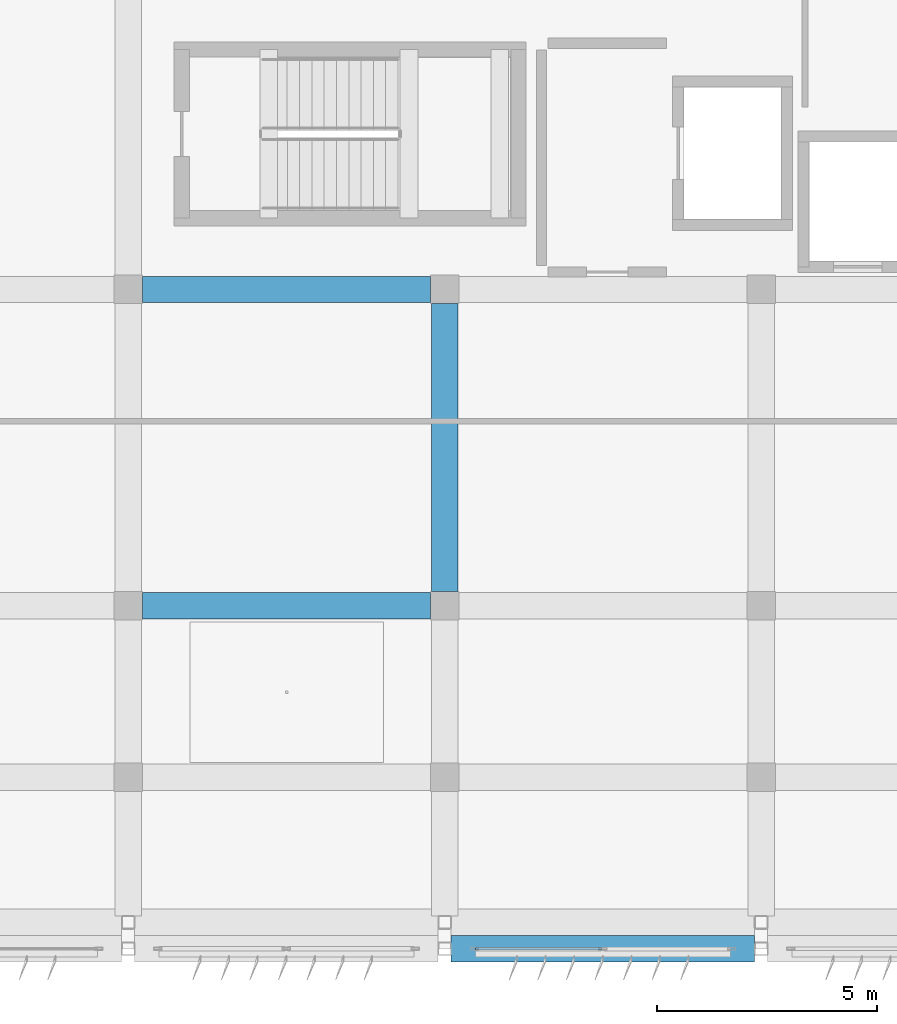
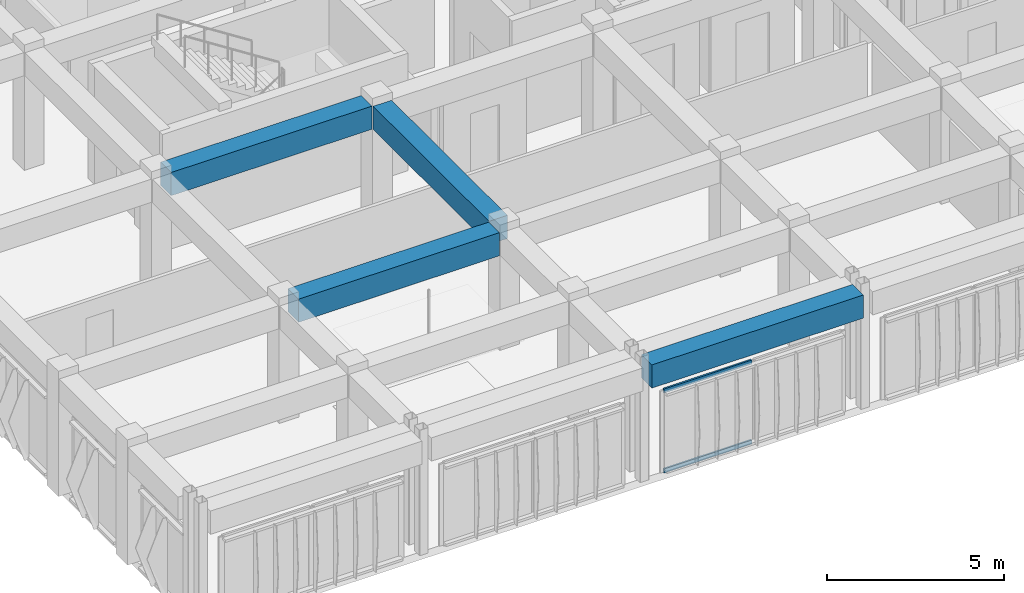
# One storey, part 6 of 53: 4 beams, 2 members, 1 element without a shape of its own.
"""IFC4 building model written with IfcOpenShell, lengths in metres."""

from ifc_helpers import new_model, si_unit, direction, frame, origin, origin_2d, place, context, subcontext, project, spatial, rectangle, hollow_rectangle, extrude, material, material_profile, profile_set, type_object, element, aggregate, save


model = new_model("IFC4")

# Units and contexts
model_context = context("Model", 3, precision=1e-05, world=origin(), true_north=direction((0.0, 1.0)))
body_context = subcontext(model_context, "Body", "Model", "MODEL_VIEW")
ifc_project = project(units=[si_unit("LENGTHUNIT", "METRE"), si_unit("AREAUNIT", "SQUARE_METRE"), si_unit("VOLUMEUNIT", "CUBIC_METRE"), si_unit("PLANEANGLEUNIT", "RADIAN"), si_unit("MASSUNIT", "GRAM", prefix="KILO")], contexts=[model_context])

# Site, building, storey
site_placement = place(None, origin())
site = spatial("IfcSite", under=ifc_project, at=site_placement, CompositionType="ELEMENT")
building_placement = place(site_placement, origin())
building = spatial("IfcBuilding", under=site, at=building_placement, Name="Kazehaya Institute of Natural Sciences", CompositionType="ELEMENT")
storey_placement = place(building_placement, frame((0.0, 0.0, 33.300048828125)))
storey = spatial("IfcBuildingStorey", under=building, at=storey_placement, Name="L07", CompositionType="ELEMENT", Elevation=33.300048828125)

# Beams
ifc_material_1 = material(Name="Concrete Fc36", Category="concrete")
ifc_material_profile_1 = material_profile(ifc_material_1, rectangle(XDim=0.60009765625, YDim=0.800048828125, at=origin_2d()), Name="RC-600x800")
ifc_profile_set_1 = profile_set([ifc_material_profile_1], Name="Concrete Fc36")
beam_type = type_object("IfcBeamType", Name="BM-G-600x800", PredefinedType="BEAM", material=ifc_profile_set_1)
beam_placement = place(storey_placement, frame((69.14990234375, 6.199951171875, 3.64990234375), z_axis=(1.0, 0.0, 0.0), x_axis=(0.0, 1.0, 0.0)))
element("IfcBeam", 1, at=beam_placement, inside=storey, type_object=beam_type, Name="L07 primary X girder BMX-L07-690-62", PredefinedType="BEAM", context=body_context, shape_type="SweptSolid", body=[
    extrude(rectangle(XDim=0.60009765625, YDim=0.800048828125, at=origin_2d()), origin(), (0.0, 0.0, 1.0), 6.900146484375),
])
for number, where, z_axis, x_axis, name in (
    (2, (62.125, 14.0, 3.64990234375), (1.0, 0.0, 0.0), (0.0, 1.0, 0.0), "L07 primary X girder BMX-L07-618-140"),
    (3, (62.125, 21.199951171875, 3.64990234375), (1.0, 0.0, 0.0), (0.0, 1.0, 0.0), "L07 primary X girder BMX-L07-618-212"),
    (4, (69.0, 14.324951171875, 3.64990234375), (0.0, 1.0, 0.0), (-1.0, 0.0, 0.0), "L07 primary Y girder BMY-L07-690-140"),
):
    element("IfcBeam", number, at=place(storey_placement, frame(where, z_axis=z_axis, x_axis=x_axis)), inside=storey, type_object=beam_type, Name=name, PredefinedType="BEAM", context=body_context, shape_type="SweptSolid", body=[
        extrude(rectangle(XDim=0.60009765625, YDim=0.800048828125, at=origin_2d()), origin(), (0.0, 0.0, 1.0), 6.550048828125),
    ])

# Curtain wall, members
ifc_material_2 = material(Name="Aluminium alloy A6063S-T5", Category="aluminium")
curtain_wall_type = type_object("IfcCurtainWallType", Name="CW-SYS-05", PredefinedType="NOTDEFINED", material=ifc_material_2)
curtain_wall_placement = place(storey_placement, origin())
curtain_wall = element("IfcCurtainWall", 5, at=curtain_wall_placement, inside=storey, type_object=curtain_wall_type, Name="L07 unitised curtain wall CW-L07-154", PredefinedType="NOTDEFINED")
ifc_material_profile_2 = material_profile(ifc_material_2, hollow_rectangle(XDim=0.06005859375, YDim=0.139892578125, WallThickness=0.00341796875, at=origin_2d()), Name="ALU-60x140x3.5")
ifc_profile_set_2 = profile_set([ifc_material_profile_2], Name="Aluminium alloy A6063S-T5")
member_type = type_object("IfcMemberType", Name="CWT-140", PredefinedType="USERDEFINED", material=ifc_profile_set_2)
member_1_placement = place(storey_placement, frame((72.570068359375, 6.199951171875, 0.030029296875), z_axis=(-1.0, 0.0, 0.0), x_axis=(0.0, -1.0, 0.0)))
member_1 = element("IfcMember", 6, at=member_1_placement, type_object=member_type, Name="CW05 transom 2.1", ObjectType="TRANSOM", PredefinedType="USERDEFINED", context=body_context, shape_type="SweptSolid", body=[
    extrude(hollow_rectangle(XDim=0.06005859375, YDim=0.139892578125, WallThickness=0.00341796875, at=origin_2d()), origin(), (0.0, 0.0, 1.0), 2.8701171875),
])
member_2_placement = place(storey_placement, frame((72.570068359375, 6.199951171875, 2.7900390625), z_axis=(-1.0, 0.0, 0.0), x_axis=(0.0, -1.0, 0.0)))
member_2 = element("IfcMember", 7, at=member_2_placement, type_object=member_type, Name="CW05 transom 2.2", ObjectType="TRANSOM", PredefinedType="USERDEFINED", context=body_context, shape_type="SweptSolid", body=[
    extrude(hollow_rectangle(XDim=0.06005859375, YDim=0.139892578125, WallThickness=0.00341796875, at=origin_2d()), origin(), (0.0, 0.0, 1.0), 2.8701171875),
])
aggregate(curtain_wall, [member_1, member_2])

save(model, "model.ifc")
